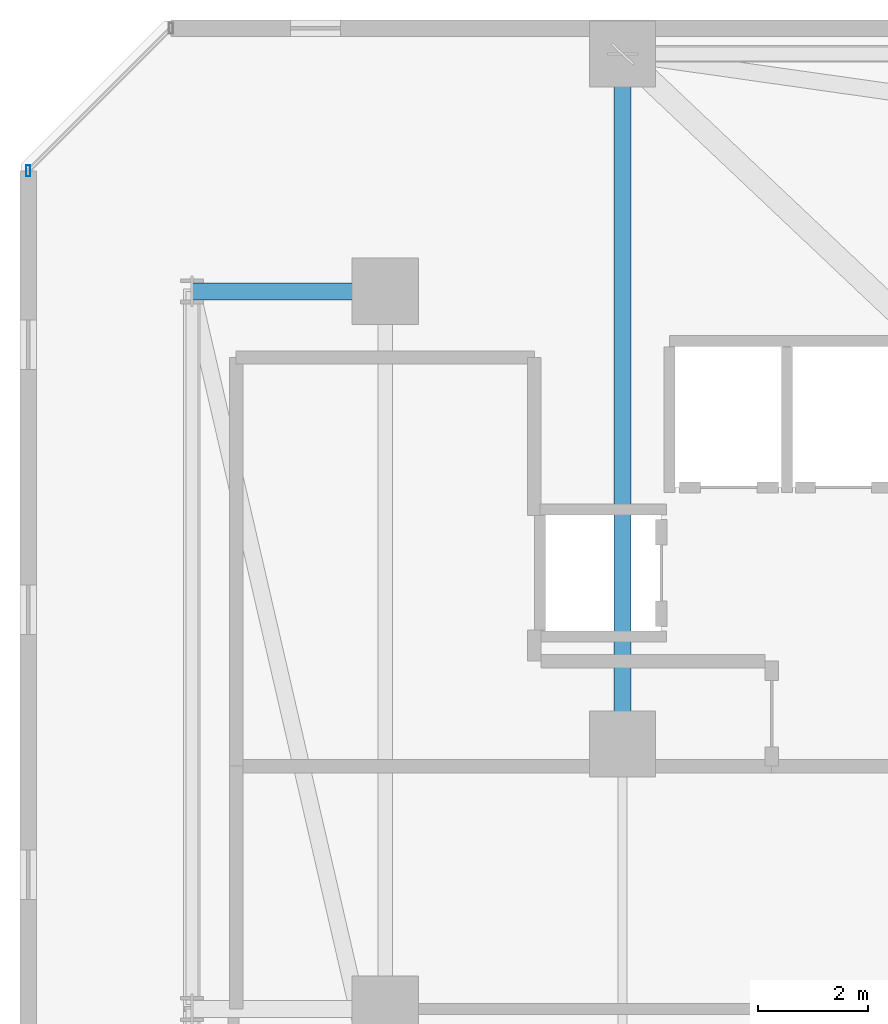
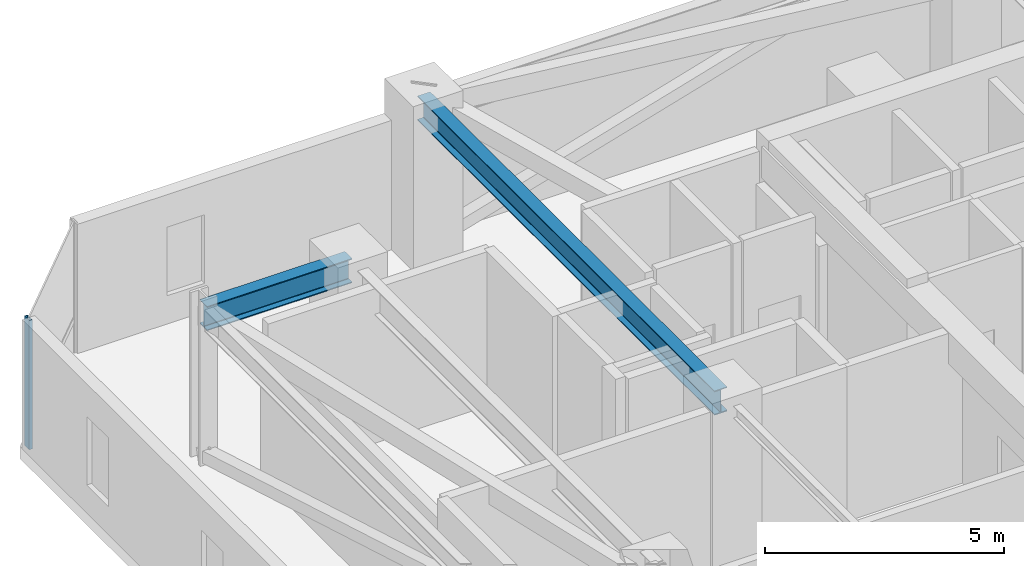
# One storey, part 13 of 45: 2 beams, 1 member, 1 element without a shape of its own.
"""IFC4 building model written with IfcOpenShell, lengths in metres."""

from ifc_helpers import new_model, si_unit, direction, frame, origin, origin_2d, place, context, subcontext, project, spatial, hollow_rectangle, i_section, extrude, material, material_profile, profile_set, type_object, element, aggregate, save


model = new_model("IFC4")

# Units and contexts
model_context = context("Model", 3, precision=1e-05, world=origin(), true_north=direction((0.0, 1.0)))
body_context = subcontext(model_context, "Body", "Model", "MODEL_VIEW")
ifc_project = project(units=[si_unit("LENGTHUNIT", "METRE"), si_unit("AREAUNIT", "SQUARE_METRE"), si_unit("VOLUMEUNIT", "CUBIC_METRE"), si_unit("PLANEANGLEUNIT", "RADIAN"), si_unit("MASSUNIT", "GRAM", prefix="KILO")], contexts=[model_context])

# Site, building, storey
site_placement = place(None, origin())
site = spatial("IfcSite", under=ifc_project, at=site_placement, CompositionType="ELEMENT")
building_placement = place(site_placement, origin())
building = spatial("IfcBuilding", under=site, at=building_placement, Name="Thornwick Lancets Civic Towers", CompositionType="ELEMENT")
storey_placement = place(building_placement, frame((0.0, 0.0, 141.300048828125)))
storey = spatial("IfcBuildingStorey", under=building, at=storey_placement, Name="L37", CompositionType="ELEMENT", Elevation=141.300048828125)

# Beams
ifc_material_1 = material(Name="Steel S355JR", Category="steel")
ifc_material_profile_1 = material_profile(ifc_material_1, i_section(OverallWidth=0.30712890625, OverallDepth=0.6201171875, WebThickness=0.01416015625, FlangeThickness=0.023681640625, FilletRadius=0.0166015625, at=origin_2d()), Name="UKB 610x305x179")
ifc_profile_set_1 = profile_set([ifc_material_profile_1], Name="Steel S355JR")
beam_type = type_object("IfcBeamType", Name="BM_GIRD_610_179", PredefinedType="BEAM", material=ifc_profile_set_1)
beam_1_placement = place(storey_placement, frame((12.5, 31.8798828125, 3.64990234375), z_axis=(0.0, 1.0, 0.0), x_axis=(-1.0, 0.0, 0.0)))
element("IfcBeam", 1, at=beam_1_placement, inside=storey, type_object=beam_type, Name="BM-RADIN-L37-A07", PredefinedType="BEAM", context=body_context, shape_type="SweptSolid", body=[
    extrude(i_section(OverallWidth=0.30712890625, OverallDepth=0.6201171875, WebThickness=0.01416015625, FlangeThickness=0.023681640625, FilletRadius=0.0166015625, at=origin_2d()), origin(), (0.0, 0.0, 1.0), 12.420166015625),
])
beam_2_placement = place(storey_placement, frame((8.199951171875, 40.0, 3.64990234375), z_axis=(-1.0, 0.0, 0.0), x_axis=(0.0, -1.0, 0.0)))
element("IfcBeam", 2, at=beam_2_placement, inside=storey, type_object=beam_type, Name="BM-RAD-L37-A12", PredefinedType="BEAM", context=body_context, shape_type="SweptSolid", body=[
    extrude(i_section(OverallWidth=0.30712890625, OverallDepth=0.6201171875, WebThickness=0.01416015625, FlangeThickness=0.023681640625, FilletRadius=0.0166015625, at=origin_2d()), origin(), (0.0, 0.0, 1.0), 3.5),
])

# Curtain wall, member
ifc_material_2 = material(Name="Mid-zone chamfered-corner unitised glass curtain wall", Category="glass")
curtain_wall_type = type_object("IfcCurtainWallType", Name="CW_SYS_04", PredefinedType="NOTDEFINED", material=ifc_material_2)
curtain_wall_placement = place(storey_placement, origin())
curtain_wall = element("IfcCurtainWall", 3, at=curtain_wall_placement, inside=storey, type_object=curtain_wall_type, Name="L37 Curtain Wall CW-L37-A-E5", PredefinedType="NOTDEFINED")
ifc_material_3 = material(Name="Thermally broken bronze aluminium S355", Category="steel")
ifc_material_profile_2 = material_profile(ifc_material_3, hollow_rectangle(XDim=0.080078125, YDim=0.199951171875, WallThickness=0.006103515625, at=origin_2d()), Name="RHS 200x80x6")
ifc_profile_set_2 = profile_set([ifc_material_profile_2], Name="Thermally broken bronze aluminium S355")
member_type = type_object("IfcMemberType", Name="CW_MUL_200", PredefinedType="MULLION", material=ifc_profile_set_2)
member_placement = place(storey_placement, frame((1.7353515625, 42.181396484375, 0.0), z_axis=(0.0, 0.0, 1.0), x_axis=(1.0, 0.0, 0.0)))
member = element("IfcMember", 4, at=member_placement, type_object=member_type, Name="CW-L37-A-E5 Mullion 1", PredefinedType="MULLION", context=body_context, shape_type="SweptSolid", body=[
    extrude(hollow_rectangle(XDim=0.080078125, YDim=0.199951171875, WallThickness=0.006103515625, at=origin_2d()), origin(), (0.0, 0.0, 1.0), 3.300048828125),
])
aggregate(curtain_wall, [member])

save(model, "model.ifc")
